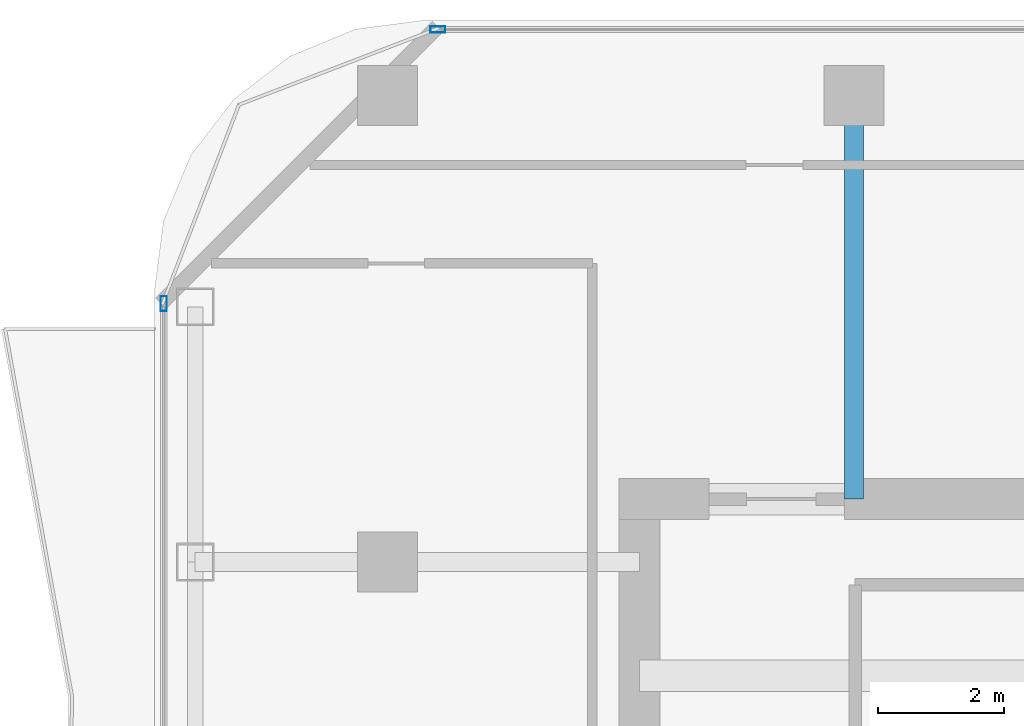
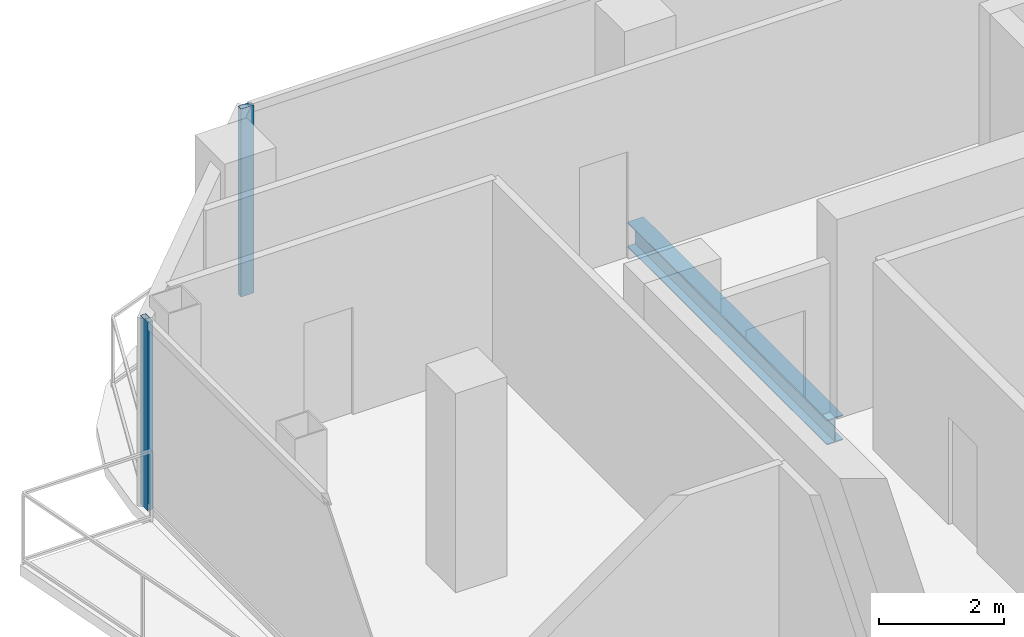
# One storey, part 13 of 27: 2 members, 1 beam, 2 elements without a shape of their own.
"""IFC4 building model written with IfcOpenShell, lengths in metres."""

from ifc_helpers import new_model, si_unit, direction, frame, origin, origin_2d, place, context, subcontext, project, spatial, hollow_rectangle, i_section, extrude, material, layer, layer_set, material_profile, profile_set, type_object, element, aggregate, save


model = new_model("IFC4")

# Units and contexts
model_context = context("Model", 3, precision=1e-05, world=origin(), true_north=direction((0.0, 1.0)))
body_context = subcontext(model_context, "Body", "Model", "MODEL_VIEW")
ifc_project = project(units=[si_unit("LENGTHUNIT", "METRE"), si_unit("AREAUNIT", "SQUARE_METRE"), si_unit("VOLUMEUNIT", "CUBIC_METRE"), si_unit("PLANEANGLEUNIT", "RADIAN"), si_unit("MASSUNIT", "GRAM", prefix="KILO")], contexts=[model_context])

# Site, building, storey
site_placement = place(None, origin())
site = spatial("IfcSite", under=ifc_project, at=site_placement, CompositionType="ELEMENT")
building_placement = place(site_placement, origin())
building = spatial("IfcBuilding", under=site, at=building_placement, Name="Khorvyn Point Tower", CompositionType="ELEMENT")
storey_placement = place(building_placement, frame((0.0, 0.0, 243.0)))
storey = spatial("IfcBuildingStorey", under=building, at=storey_placement, Name="L59", CompositionType="ELEMENT", Elevation=243.0)

# Curtain wall, member
ifc_material_1 = material(Name="Anodised aluminium 6063-T6 and laminated Low-E glass", Category="aluminium")
ifc_layer = layer(ifc_material_1, 0.18994140625)
ifc_layer_set = layer_set([ifc_layer], Name="Stick-Built Acoustic Curtain Wall CW-SYS-03")
curtain_wall_type = type_object("IfcCurtainWallType", Name="Stick-Built Acoustic Curtain Wall CW-SYS-03", PredefinedType="NOTDEFINED", material=ifc_layer_set)
curtain_wall_1_placement = place(storey_placement, origin())
curtain_wall_1 = element("IfcCurtainWall", 1, at=curtain_wall_1_placement, inside=storey, type_object=curtain_wall_type, Name="Curtain Wall", PredefinedType="NOTDEFINED")
ifc_material_2 = material(Name="Anodised aluminium 6063-T6", Category="aluminium")
ifc_material_profile_1 = material_profile(ifc_material_2, hollow_rectangle(XDim=0.10009765625, YDim=0.239990234375, WallThickness=0.0048828125, at=origin_2d()))
ifc_profile_set_1 = profile_set([ifc_material_profile_1], Name="Anodised aluminium 6063-T6 ALU-MUL-100x240")
member_type = type_object("IfcMemberType", Name="Anodised Aluminium 6063-T6 Mullion ALU-MUL-100x240", PredefinedType="MULLION", material=ifc_profile_set_1)
member_1_placement = place(storey_placement, frame((-14.0, 15.85009765625, 0.0), z_axis=(0.0, 0.0, 1.0), x_axis=(0.0, 1.0, 0.0)))
member_1 = element("IfcMember", 2, at=member_1_placement, type_object=member_type, Name="Transom", PredefinedType="MULLION", context=body_context, shape_type="SweptSolid", body=[
    extrude(hollow_rectangle(XDim=0.10009765625, YDim=0.239990234375, WallThickness=0.0048828125, at=origin_2d()), origin(), (0.0, 0.0, 1.0), 3.679931640625),
])
aggregate(curtain_wall_1, [member_1])

curtain_wall_2_placement = place(storey_placement, origin())
curtain_wall_2 = element("IfcCurtainWall", 3, at=curtain_wall_2_placement, inside=storey, type_object=curtain_wall_type, Name="Curtain Wall", PredefinedType="NOTDEFINED")
member_2_placement = place(storey_placement, frame((-18.35009765625, 11.5, 0.0), z_axis=(0.0, 0.0, 1.0), x_axis=(-1.0, 0.0, 0.0)))
member_2 = element("IfcMember", 4, at=member_2_placement, type_object=member_type, Name="Transom", PredefinedType="MULLION", context=body_context, shape_type="SweptSolid", body=[
    extrude(hollow_rectangle(XDim=0.10009765625, YDim=0.239990234375, WallThickness=0.0048828125, at=origin_2d()), origin(), (0.0, 0.0, 1.0), 3.679931640625),
])
aggregate(curtain_wall_2, [member_2])

# Beam
ifc_material_3 = material(Name="Steel S355", Category="steel")
ifc_material_profile_2 = material_profile(ifc_material_3, i_section(OverallWidth=0.300048828125, OverallDepth=0.488037109375, WebThickness=0.010986328125, FlangeThickness=0.01806640625, at=origin_2d()))
ifc_profile_set_2 = profile_set([ifc_material_profile_2], Name="Steel S355 H488x300x11x18")
beam_type = type_object("IfcBeamType", Name="Steel S355 Spandrel H488x300x11x18", PredefinedType="SPANDREL", material=ifc_profile_set_2)
beam_placement = place(storey_placement, frame((-7.39990234375, 8.39990234375, -0.464111328125), z_axis=(0.0, 1.0, 0.0), x_axis=(-1.0, 0.0, 0.0)))
element("IfcBeam", 5, at=beam_placement, inside=storey, type_object=beam_type, Name="Beam", PredefinedType="SPANDREL", context=body_context, shape_type="SweptSolid", body=[
    extrude(i_section(OverallWidth=0.300048828125, OverallDepth=0.488037109375, WebThickness=0.010986328125, FlangeThickness=0.01806640625, at=origin_2d()), origin(), (0.0, 0.0, 1.0), 6.400146484375),
])

save(model, "model.ifc")
